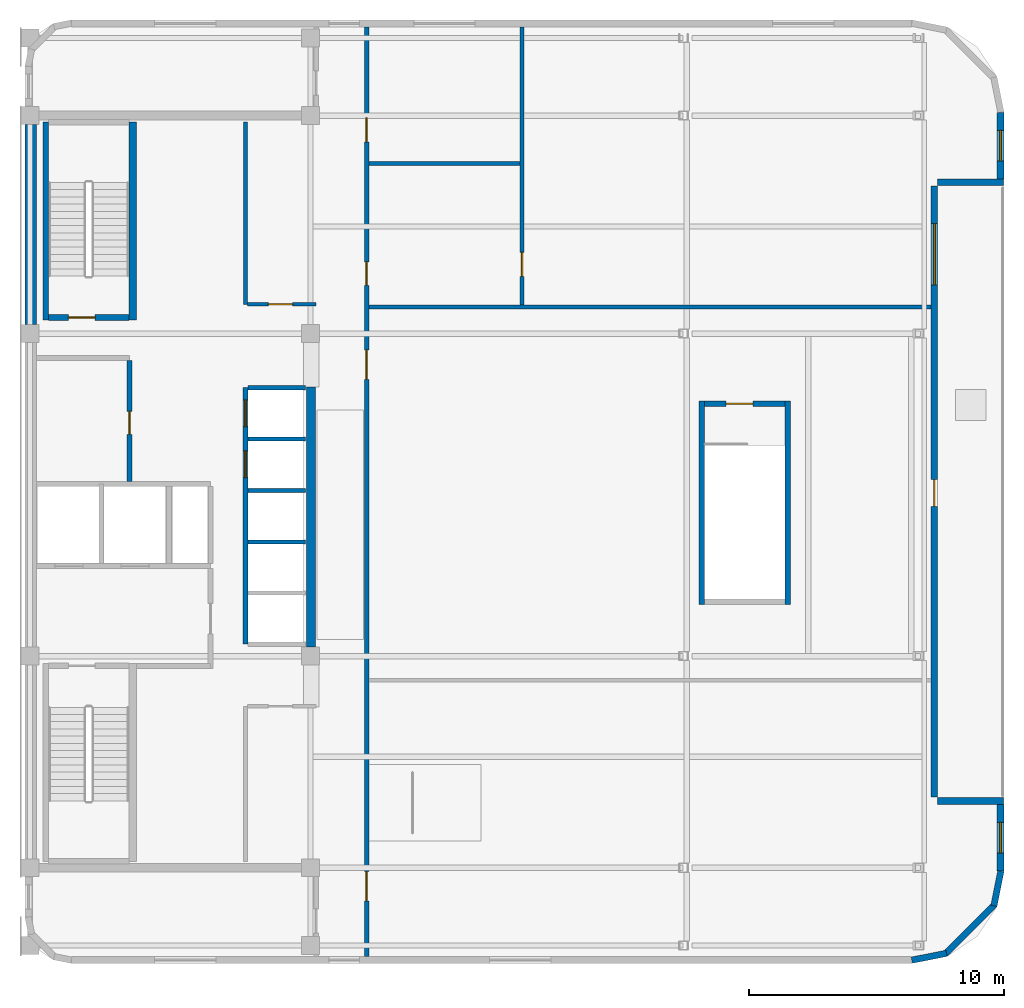
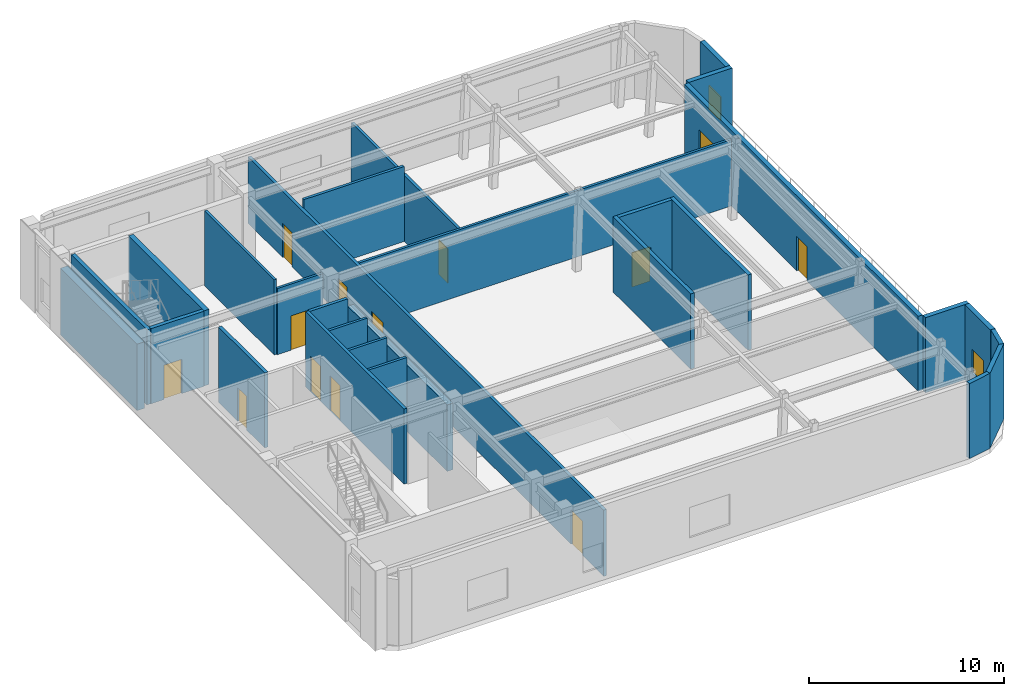
# One storey, part 3 of 6: 28 walls, 12 doors, 3 windows, 15 openings.
"""IFC4 building model written with IfcOpenShell, lengths in metres."""

from ifc_helpers import new_model, si_unit, direction, frame, frame_2d, origin, place, context, subcontext, project, spatial, rectangle, extrude, material, layer, layer_set, type_object, element, fill, save


model = new_model("IFC4")

# Units and contexts
model_context = context("Model", 3, precision=1e-05, world=origin(), true_north=direction((0.0, 1.0)))
body_context = subcontext(model_context, "Body", "Model", "MODEL_VIEW")
ifc_project = project(units=[si_unit("LENGTHUNIT", "METRE"), si_unit("AREAUNIT", "SQUARE_METRE"), si_unit("VOLUMEUNIT", "CUBIC_METRE"), si_unit("PLANEANGLEUNIT", "RADIAN"), si_unit("MASSUNIT", "GRAM", prefix="KILO")], contexts=[model_context])

# Site, building, storey
site_placement = place(None, origin())
site = spatial("IfcSite", under=ifc_project, at=site_placement, CompositionType="ELEMENT")
building_placement = place(site_placement, origin())
building = spatial("IfcBuilding", under=site, at=building_placement, Name="Ochreholt Gables", CompositionType="ELEMENT")
storey_placement = place(building_placement, frame((0.0, 0.0, 282.0)))
storey = spatial("IfcBuildingStorey", under=building, at=storey_placement, Name="L74", CompositionType="ELEMENT", Elevation=282.0)

# Walls
ifc_material_1 = material(Name="Concrete 50 MPa", Category="concrete")
ifc_layer_1 = layer(ifc_material_1, 0.35009765625, Name="Concrete 50 MPa")
ifc_layer_set_1 = layer_set([ifc_layer_1], Name="Concrete 50 MPa")
wall_type_1 = type_object("IfcWallType", Name="WALL-CSW-350", PredefinedType="SHEAR", material=ifc_layer_set_1)
wall_1_placement = place(storey_placement, frame((35.22509765625, 17.89990234375, 0.0), z_axis=(0.0, 0.0, 1.0), x_axis=(0.0, 1.0, 0.0)))
element("IfcWall", 1, at=wall_1_placement, inside=storey, type_object=wall_type_1, Name="L74 Core Central-East Shear Wall", PredefinedType="SHEAR", context=body_context, shape_type="SweptSolid", body=[
    extrude(rectangle(XDim=10.2001953125, YDim=0.35009765625, at=frame_2d((5.10009765625, 0.0))), origin(), (0.0, 0.0, 1.0), 4.160888671875),
])
ifc_layer_2 = layer(ifc_material_1, 0.449951171875, Name="Concrete 50 MPa")
ifc_layer_set_2 = layer_set([ifc_layer_2], Name="Concrete 50 MPa")
wall_type_2 = type_object("IfcWallType", Name="WALL-CSW-EXT", PredefinedType="SHEAR", material=ifc_layer_set_2)
wall_2_placement = place(storey_placement, frame((24.22509765625, 30.550048828125, 0.0), z_axis=(0.0, 0.0, 1.0), x_axis=(0.0, 1.0, 0.0)))
element("IfcWall", 2, at=wall_2_placement, inside=storey, type_object=wall_type_2, Name="L74 Core West Shear Wall WN", PredefinedType="SHEAR", context=body_context, shape_type="SweptSolid", body=[
    extrude(rectangle(XDim=7.849853515625, YDim=0.449951171875, at=frame_2d((3.9248046875, 0.0))), origin(), (0.0, 0.0, 1.0), 4.160888671875),
])

# Wall, opening, window
ifc_material_2 = material(Name="Precast concrete 40 MPa", Category="concrete")
ifc_layer_3 = layer(ifc_material_2, 0.27001953125, Name="Precast concrete 40 MPa")
ifc_layer_set_3 = layer_set([ifc_layer_3], Name="Precast concrete 40 MPa")
wall_type_3 = type_object("IfcWallType", Name="WALL-EXT-270", PredefinedType="SOLIDWALL", material=ifc_layer_set_3)
wall_3_placement = place(storey_placement, frame((62.264892578125, 9.1201171875, 0.0), z_axis=(0.0, 0.0, 1.0), x_axis=(0.0, 1.0, 0.0)))
wall_3 = element("IfcWall", 3, at=wall_3_placement, inside=storey, type_object=wall_type_3, Name="L74 South-East Outer Wall", PredefinedType="SOLIDWALL", context=body_context, shape_type="SweptSolid", body=[
    extrude(rectangle(XDim=2.60986328125, YDim=0.27001953125, at=frame_2d((1.304931640625, 0.0))), origin(), (0.0, 0.0, 1.0), 4.699951171875),
])
opening_1_placement = place(wall_3_placement, frame((0.705078125, 0.0, 0.85009765625)))
opening_1 = element("IfcOpeningElement", 4, at=opening_1_placement, cuts=wall_3, Name="Opening WN-3", PredefinedType="OPENING", context=body_context, shape_type="SweptSolid", body=[
    extrude(rectangle(XDim=1.199951171875, YDim=1.5, at=frame_2d((0.60009765625, 0.75))), frame((0.0, 0.14501953125, 0.0), z_axis=(0.0, -1.0, 0.0), x_axis=(1.0, 0.0, 0.0)), (0.0, 0.0, 1.0), 0.2900390625),
])
ifc_material_3 = material(Name="Triple-Glazed Thermally Broken Aluminium Window", Category="aluminium")
window_type_1 = type_object("IfcWindowType", Name="WIN-RES-1200", PartitioningType="SINGLE_PANEL", PredefinedType="WINDOW", material=ifc_material_3)
window_1_placement = place(opening_1_placement, origin())
window_1 = element("IfcWindow", 5, at=window_1_placement, inside=storey, type_object=window_type_1, Name="L74 Window W-EXT-E1-L74-1", OverallHeight=1.5, OverallWidth=1.199951171875, PartitioningType="SINGLE_PANEL", PredefinedType="WINDOW", context=body_context, shape_type="SweptSolid", body=[
    extrude(rectangle(XDim=1.199951171875, YDim=1.5, at=frame_2d((0.60009765625, 0.75))), frame((0.0, 0.030029296875, 0.0), z_axis=(0.0, -1.0, 0.0), x_axis=(1.0, 0.0, 0.0)), (0.0, 0.0, 1.0), 0.06005859375),
])
fill(opening_1, window_1)

# Wall
wall_4_placement = place(storey_placement, frame((59.800048828125, 11.864990234375, 0.0), z_axis=(0.0, 0.0, 1.0), x_axis=(1.0, 0.0, 0.0)))
element("IfcWall", 6, at=wall_4_placement, inside=storey, type_object=wall_type_3, Name="L74 Observation Terrace South Cheek Wall", PredefinedType="SOLIDWALL", context=body_context, shape_type="SweptSolid", body=[
    extrude(rectangle(XDim=2.579833984375, YDim=0.27001953125, at=frame_2d((1.2900390625, 0.0))), origin(), (0.0, 0.0, 1.0), 4.699951171875),
])

# Wall, openings, door, window
wall_5_placement = place(storey_placement, frame((59.6650390625, 12.02001953125, 0.0), z_axis=(0.0, 0.0, 1.0), x_axis=(0.0, 1.0, 0.0)))
wall_5 = element("IfcWall", 7, at=wall_5_placement, inside=storey, type_object=wall_type_3, Name="L74 Observation Lookout Terrace Wall", PredefinedType="SOLIDWALL", context=body_context, shape_type="SweptSolid", body=[
    extrude(rectangle(XDim=23.9599609375, YDim=0.27001953125, at=frame_2d((11.97998046875, 0.0))), origin(), (0.0, 0.0, 1.0), 4.699951171875),
])
opening_2_placement = place(wall_5_placement, frame((11.39990234375, 0.0, 0.0)))
opening_2 = element("IfcOpeningElement", 8, at=opening_2_placement, cuts=wall_5, Name="Opening D-TR1", PredefinedType="OPENING", context=body_context, shape_type="SweptSolid", body=[
    extrude(rectangle(XDim=1.050048828125, YDim=2.14990234375, at=frame_2d((0.52490234375, 1.074951171875))), frame((0.0, 0.14501953125, 0.0), z_axis=(0.0, -1.0, 0.0), x_axis=(1.0, 0.0, 0.0)), (0.0, 0.0, 1.0), 0.2900390625),
])
opening_3_placement = place(wall_5_placement, frame((20.090087890625, 0.0, 0.85009765625)))
opening_3 = element("IfcOpeningElement", 9, at=opening_3_placement, cuts=wall_5, Name="Opening WN-5", PredefinedType="OPENING", context=body_context, shape_type="SweptSolid", body=[
    extrude(rectangle(XDim=2.39990234375, YDim=1.89990234375, at=frame_2d((1.199951171875, 0.949951171875))), frame((0.0, 0.14501953125, 0.0), z_axis=(0.0, -1.0, 0.0), x_axis=(1.0, 0.0, 0.0)), (0.0, 0.0, 1.0), 0.2900390625),
])
ifc_material_4 = material(Name="Thermally Broken Insulated Steel and Glass Door", Category="steel")
door_type_1 = type_object("IfcDoorType", Name="DR-EXT-TER1050", OperationType="NOTDEFINED", PredefinedType="DOOR", material=ifc_material_4)
door_1_placement = place(opening_2_placement, origin())
door_1 = element("IfcDoor", 10, at=door_1_placement, inside=storey, type_object=door_type_1, Name="L74 Observation Deck Access Door", OperationType="SINGLE_SWING_RIGHT", OverallHeight=2.14990234375, OverallWidth=1.050048828125, PredefinedType="DOOR", context=body_context, shape_type="SweptSolid", body=[
    extrude(rectangle(XDim=1.050048828125, YDim=2.14990234375, at=frame_2d((0.52490234375, 1.074951171875))), frame((0.0, 0.02490234375, 0.0), z_axis=(0.0, -1.0, 0.0), x_axis=(1.0, 0.0, 0.0)), (0.0, 0.0, 1.0), 0.050048828125),
])
fill(opening_2, door_1)
window_type_2 = type_object("IfcWindowType", Name="WIN-COM-2400", PartitioningType="SINGLE_PANEL", PredefinedType="WINDOW", material=ifc_material_3)
window_2_placement = place(opening_3_placement, origin())
window_2 = element("IfcWindow", 11, at=window_2_placement, inside=storey, type_object=window_type_2, Name="L74 Window W-EXT-EOBS-L74-1", OverallHeight=1.89990234375, OverallWidth=2.39990234375, PartitioningType="SINGLE_PANEL", PredefinedType="WINDOW", context=body_context, shape_type="SweptSolid", body=[
    extrude(rectangle(XDim=2.39990234375, YDim=1.89990234375, at=frame_2d((1.199951171875, 0.949951171875))), frame((0.0, 0.030029296875, 0.0), z_axis=(0.0, -1.0, 0.0), x_axis=(1.0, 0.0, 0.0)), (0.0, 0.0, 1.0), 0.06005859375),
])
fill(opening_3, window_2)

# Wall
wall_6_placement = place(storey_placement, frame((59.800048828125, 36.135009765625, 0.0), z_axis=(0.0, 0.0, 1.0), x_axis=(1.0, 0.0, 0.0)))
element("IfcWall", 12, at=wall_6_placement, inside=storey, type_object=wall_type_3, Name="L74 Observation Terrace North Cheek Wall", PredefinedType="SOLIDWALL", context=body_context, shape_type="SweptSolid", body=[
    extrude(rectangle(XDim=2.579833984375, YDim=0.27001953125, at=frame_2d((1.2900390625, 0.0))), origin(), (0.0, 0.0, 1.0), 4.699951171875),
])

# Wall, opening, window
wall_7_placement = place(storey_placement, frame((62.264892578125, 36.27001953125, 0.0), z_axis=(0.0, 0.0, 1.0), x_axis=(0.0, 1.0, 0.0)))
wall_7 = element("IfcWall", 13, at=wall_7_placement, inside=storey, type_object=wall_type_3, Name="L74 North-East Outer Wall", PredefinedType="SOLIDWALL", context=body_context, shape_type="SweptSolid", body=[
    extrude(rectangle(XDim=2.60986328125, YDim=0.27001953125, at=frame_2d((1.304931640625, 0.0))), origin(), (0.0, 0.0, 1.0), 4.699951171875),
])
opening_4_placement = place(wall_7_placement, frame((0.705078125, 0.0, 0.85009765625)))
opening_4 = element("IfcOpeningElement", 14, at=opening_4_placement, cuts=wall_7, Name="Opening WN-3", PredefinedType="OPENING", context=body_context, shape_type="SweptSolid", body=[
    extrude(rectangle(XDim=1.199951171875, YDim=1.5, at=frame_2d((0.60009765625, 0.75))), frame((0.0, 0.14501953125, 0.0), z_axis=(0.0, -1.0, 0.0), x_axis=(1.0, 0.0, 0.0)), (0.0, 0.0, 1.0), 0.2900390625),
])
window_3_placement = place(opening_4_placement, origin())
window_3 = element("IfcWindow", 15, at=window_3_placement, inside=storey, type_object=window_type_1, Name="L74 Window W-EXT-E2-L74-1", OverallHeight=1.5, OverallWidth=1.199951171875, PartitioningType="SINGLE_PANEL", PredefinedType="WINDOW", context=body_context, shape_type="SweptSolid", body=[
    extrude(rectangle(XDim=1.199951171875, YDim=1.5, at=frame_2d((0.60009765625, 0.75))), frame((0.0, 0.030029296875, 0.0), z_axis=(0.0, -1.0, 0.0), x_axis=(1.0, 0.0, 0.0)), (0.0, 0.0, 1.0), 0.06005859375),
])
fill(opening_4, window_3)

# Walls
ifc_layer_4 = layer(ifc_material_2, 0.25, Name="Precast concrete 40 MPa")
ifc_layer_set_4 = layer_set([ifc_layer_4], Name="Precast concrete 40 MPa")
wall_type_4 = type_object("IfcWallType", Name="WALL-EXT-CNR", PredefinedType="SOLIDWALL", material=ifc_layer_set_4)
wall_8_placement = place(storey_placement, frame((58.783447265625, 5.624267578125, 0.0), z_axis=(0.0, 0.0, 1.0), x_axis=(0.980809899341, 0.19496651342, 0.0)))
element("IfcWall", 16, at=wall_8_placement, inside=storey, type_object=wall_type_4, Name="L74 Rounded Corner Wall SE-1", PredefinedType="SOLIDWALL", context=body_context, shape_type="SweptSolid", body=[
    extrude(rectangle(XDim=1.388671875, YDim=0.25, at=frame_2d((0.6943359375, 0.0))), origin(), (0.0, 0.0, 1.0), 4.699951171875),
])
wall_9_placement = place(storey_placement, frame((60.094970703125, 5.867919921875, 0.0), z_axis=(0.0, 0.0, 1.0), x_axis=(0.707106781187, 0.707106781187, 0.0)))
element("IfcWall", 17, at=wall_9_placement, inside=storey, type_object=wall_type_4, Name="L74 Rounded Corner Wall SE-2", PredefinedType="SOLIDWALL", context=body_context, shape_type="SweptSolid", body=[
    extrude(rectangle(XDim=2.7392578125, YDim=0.25, at=frame_2d((1.36962890625, 0.0))), origin(), (0.0, 0.0, 1.0), 4.699951171875),
])
wall_10_placement = place(storey_placement, frame((62.0048828125, 7.75439453125, 0.0), z_axis=(0.0, 0.0, 1.0), x_axis=(0.195135625965, 0.9807762678, 0.0)))
element("IfcWall", 18, at=wall_10_placement, inside=storey, type_object=wall_type_4, Name="L74 Rounded Corner Wall SE-3", PredefinedType="SOLIDWALL", context=body_context, shape_type="SweptSolid", body=[
    extrude(rectangle(XDim=1.388671875, YDim=0.25, at=frame_2d((0.6943359375, 0.0))), origin(), (0.0, 0.0, 1.0), 4.699951171875),
])

# Wall, opening, door
ifc_material_5 = material(Name="Concrete 40 MPa", Category="concrete")
ifc_layer_5 = layer(ifc_material_5, 0.199951171875, Name="Concrete 40 MPa")
ifc_layer_set_5 = layer_set([ifc_layer_5], Name="Concrete 40 MPa")
wall_type_5 = type_object("IfcWallType", Name="WALL-INT-CF200", PredefinedType="STANDARD", material=ifc_layer_set_5)
wall_11_placement = place(storey_placement, frame((28.10009765625, 24.389892578125, 0.0), z_axis=(0.0, 0.0, 1.0), x_axis=(0.0, 1.0, 0.0)))
wall_11 = element("IfcWall", 19, at=wall_11_placement, inside=storey, type_object=wall_type_5, Name="L74 Interior Wall WI-SRVE-L74", PredefinedType="STANDARD", context=body_context, shape_type="SweptSolid", body=[
    extrude(rectangle(XDim=4.75, YDim=0.199951171875, at=frame_2d((2.375, 0.0))), origin(), (0.0, 0.0, 1.0), 4.699951171875),
])
opening_5_placement = place(wall_11_placement, frame((1.860107421875, 0.0, 0.0)))
opening_5 = element("IfcOpeningElement", 20, at=opening_5_placement, cuts=wall_11, Name="Opening D-SV1", PredefinedType="OPENING", context=body_context, shape_type="SweptSolid", body=[
    extrude(rectangle(XDim=0.89990234375, YDim=2.10009765625, at=frame_2d((0.449951171875, 1.050048828125))), frame((0.0, 0.10986328125, 0.0), z_axis=(0.0, -1.0, 0.0), x_axis=(1.0, 0.0, 0.0)), (0.0, 0.0, 1.0), 0.219970703125),
])
ifc_material_6 = material(Name="Hollow Metal Steel", Category="steel")
door_type_2 = type_object("IfcDoorType", Name="DR-INT-SRV900", OperationType="NOTDEFINED", PredefinedType="DOOR", material=ifc_material_6)
door_2_placement = place(opening_5_placement, origin())
door_2 = element("IfcDoor", 21, at=door_2_placement, inside=storey, type_object=door_type_2, Name="L74 Door D-SRV1-L74", OperationType="SINGLE_SWING_LEFT", OverallHeight=2.10009765625, OverallWidth=0.89990234375, PredefinedType="DOOR", context=body_context, shape_type="SweptSolid", body=[
    extrude(rectangle(XDim=0.89990234375, YDim=2.10009765625, at=frame_2d((0.449951171875, 1.050048828125))), frame((0.0, 0.02490234375, 0.0), z_axis=(0.0, -1.0, 0.0), x_axis=(1.0, 0.0, 0.0)), (0.0, 0.0, 1.0), 0.050048828125),
])
fill(opening_5, door_2)

# Wall, openings, doors
ifc_material_7 = material(Name="Fire-Rated Gypsum Acoustic Partition", Category="gypsum")
ifc_layer_6 = layer(ifc_material_7, 0.179931640625, Name="Fire-Rated Gypsum Acoustic Partition")
ifc_layer_set_6 = layer_set([ifc_layer_6], Name="Fire-Rated Gypsum Acoustic Partition")
wall_type_6 = type_object("IfcWallType", Name="WALL-INT-CR180", PredefinedType="STANDARD", material=ifc_layer_set_6)
wall_12_placement = place(storey_placement, frame((37.39990234375, 5.77001953125, 0.0), z_axis=(0.0, 0.0, 1.0), x_axis=(0.0, 1.0, 0.0)))
wall_12 = element("IfcWall", 22, at=wall_12_placement, inside=storey, type_object=wall_type_6, Name="L74 Interior Wall WI-CMCE-L74", PredefinedType="STANDARD", context=body_context, shape_type="SweptSolid", body=[
    extrude(rectangle(XDim=36.4599609375, YDim=0.179931640625, at=frame_2d((18.22998046875, 0.0))), origin(), (0.0, 0.0, 1.0), 4.14306640625),
])
opening_6_placement = place(wall_12_placement, frame((26.320068359375, 0.0, 0.0)))
opening_6 = element("IfcOpeningElement", 23, at=opening_6_placement, cuts=wall_12, Name="Opening D-WC1", PredefinedType="OPENING", context=body_context, shape_type="SweptSolid", body=[
    extrude(rectangle(XDim=0.919921875, YDim=2.139892578125, at=frame_2d((0.4599609375, 1.06982421875))), frame((0.0, 0.099853515625, 0.0), z_axis=(0.0, -1.0, 0.0), x_axis=(1.0, 0.0, 0.0)), (0.0, 0.0, 1.0), 0.199951171875),
])
opening_7_placement = place(wall_12_placement, frame((31.949951171875, 0.0, 0.0)))
opening_7 = element("IfcOpeningElement", 24, at=opening_7_placement, cuts=wall_12, Name="Opening D-WC2", PredefinedType="OPENING", context=body_context, shape_type="SweptSolid", body=[
    extrude(rectangle(XDim=0.949951171875, YDim=2.139892578125, at=frame_2d((0.47509765625, 1.06982421875))), frame((0.0, 0.099853515625, 0.0), z_axis=(0.0, -1.0, 0.0), x_axis=(1.0, 0.0, 0.0)), (0.0, 0.0, 1.0), 0.199951171875),
])
opening_8_placement = place(wall_12_placement, frame((2.179931640625, 0.0, 0.0)))
opening_8 = element("IfcOpeningElement", 25, at=opening_8_placement, cuts=wall_12, Name="Opening D-CM1", PredefinedType="OPENING", context=body_context, shape_type="SweptSolid", body=[
    extrude(rectangle(XDim=1.14990234375, YDim=2.14990234375, at=frame_2d((0.574951171875, 1.074951171875))), frame((0.0, 0.099853515625, 0.0), z_axis=(0.0, -1.0, 0.0), x_axis=(1.0, 0.0, 0.0)), (0.0, 0.0, 1.0), 0.199951171875),
])
opening_9_placement = place(wall_12_placement, frame((22.6298828125, 0.0, 0.0)))
opening_9 = element("IfcOpeningElement", 26, at=opening_9_placement, cuts=wall_12, Name="Opening D-CM1", PredefinedType="OPENING", context=body_context, shape_type="SweptSolid", body=[
    extrude(rectangle(XDim=1.14990234375, YDim=2.14990234375, at=frame_2d((0.574951171875, 1.074951171875))), frame((0.0, 0.099853515625, 0.0), z_axis=(0.0, -1.0, 0.0), x_axis=(1.0, 0.0, 0.0)), (0.0, 0.0, 1.0), 0.199951171875),
])
ifc_material_8 = material(Name="Engineered Oak Timber", Category="wood")
door_type_3 = type_object("IfcDoorType", Name="DR-INT-COM1150", OperationType="NOTDEFINED", PredefinedType="DOOR", material=ifc_material_8)
door_3_placement = place(opening_8_placement, origin())
door_3 = element("IfcDoor", 27, at=door_3_placement, inside=storey, type_object=door_type_3, Name="L74 Door D-CMS-L74", OperationType="SINGLE_SWING_LEFT", OverallHeight=2.14990234375, OverallWidth=1.14990234375, PredefinedType="DOOR", context=body_context, shape_type="SweptSolid", body=[
    extrude(rectangle(XDim=1.14990234375, YDim=2.14990234375, at=frame_2d((0.574951171875, 1.074951171875))), frame((0.0, 0.02490234375, 0.0), z_axis=(0.0, -1.0, 0.0), x_axis=(1.0, 0.0, 0.0)), (0.0, 0.0, 1.0), 0.050048828125),
])
fill(opening_8, door_3)
door_4_placement = place(opening_9_placement, origin())
door_4 = element("IfcDoor", 28, at=door_4_placement, inside=storey, type_object=door_type_3, Name="L74 Door D-CMM-L74", OperationType="SINGLE_SWING_RIGHT", OverallHeight=2.14990234375, OverallWidth=1.14990234375, PredefinedType="DOOR", context=body_context, shape_type="SweptSolid", body=[
    extrude(rectangle(XDim=1.14990234375, YDim=2.14990234375, at=frame_2d((0.574951171875, 1.074951171875))), frame((0.0, 0.02490234375, 0.0), z_axis=(0.0, -1.0, 0.0), x_axis=(1.0, 0.0, 0.0)), (0.0, 0.0, 1.0), 0.050048828125),
])
fill(opening_9, door_4)
door_type_4 = type_object("IfcDoorType", Name="DR-INT-WC920", OperationType="NOTDEFINED", PredefinedType="DOOR", material=ifc_material_8)
door_5_placement = place(opening_6_placement, origin())
door_5 = element("IfcDoor", 29, at=door_5_placement, inside=storey, type_object=door_type_4, Name="L74 Door D-CMWC1-L74", OperationType="SINGLE_SWING_LEFT", OverallHeight=2.139892578125, OverallWidth=0.919921875, PredefinedType="DOOR", context=body_context, shape_type="SweptSolid", body=[
    extrude(rectangle(XDim=0.919921875, YDim=2.139892578125, at=frame_2d((0.4599609375, 1.06982421875))), frame((0.0, 0.02490234375, 0.0), z_axis=(0.0, -1.0, 0.0), x_axis=(1.0, 0.0, 0.0)), (0.0, 0.0, 1.0), 0.050048828125),
])
fill(opening_6, door_5)
door_type_5 = type_object("IfcDoorType", Name="DR-INT-WC950", OperationType="NOTDEFINED", PredefinedType="DOOR", material=ifc_material_8)
door_6_placement = place(opening_7_placement, origin())
door_6 = element("IfcDoor", 30, at=door_6_placement, inside=storey, type_object=door_type_5, Name="L74 Door D-CMWC2-L74", OperationType="SINGLE_SWING_RIGHT", OverallHeight=2.139892578125, OverallWidth=0.949951171875, PredefinedType="DOOR", context=body_context, shape_type="SweptSolid", body=[
    extrude(rectangle(XDim=0.949951171875, YDim=2.139892578125, at=frame_2d((0.47509765625, 1.06982421875))), frame((0.0, 0.02490234375, 0.0), z_axis=(0.0, -1.0, 0.0), x_axis=(1.0, 0.0, 0.0)), (0.0, 0.0, 1.0), 0.050048828125),
])
fill(opening_7, door_6)

# Wall, opening, door
ifc_material_9 = material(Name="Moisture-Resistant Plumbing Chase Wall", Category="gypsum")
ifc_layer_7 = layer(ifc_material_9, 0.159912109375, Name="Moisture-Resistant Plumbing Chase Wall")
ifc_layer_set_7 = layer_set([ifc_layer_7], Name="Moisture-Resistant Plumbing Chase Wall")
wall_type_7 = type_object("IfcWallType", Name="WALL-INT-PL160", PredefinedType="PLUMBINGWALL", material=ifc_layer_set_7)
wall_13_placement = place(storey_placement, frame((43.5, 31.3125, 0.0), z_axis=(0.0, 0.0, 1.0), x_axis=(0.0, 1.0, 0.0)))
wall_13 = element("IfcWall", 31, at=wall_13_placement, inside=storey, type_object=wall_type_7, Name="L74 Interior Wall WI-CMWC-L74", PredefinedType="PLUMBINGWALL", context=body_context, shape_type="SweptSolid", body=[
    extrude(rectangle(XDim=10.91748046875, YDim=0.159912109375, at=frame_2d((5.458740234375, 0.0))), origin(), (0.0, 0.0, 1.0), 4.14306640625),
])
opening_10_placement = place(wall_13_placement, frame((1.12744140625, 0.0, 0.0)))
opening_10 = element("IfcOpeningElement", 32, at=opening_10_placement, cuts=wall_13, Name="Opening D-GN1", PredefinedType="OPENING", context=body_context, shape_type="SweptSolid", body=[
    extrude(rectangle(XDim=0.949951171875, YDim=2.14990234375, at=frame_2d((0.47509765625, 1.074951171875))), frame((0.0, 0.08984375, 0.0), z_axis=(0.0, -1.0, 0.0), x_axis=(1.0, 0.0, 0.0)), (0.0, 0.0, 1.0), 0.179931640625),
])
door_type_6 = type_object("IfcDoorType", Name="DR-INT-GEN950", OperationType="NOTDEFINED", PredefinedType="DOOR", material=ifc_material_8)
door_7_placement = place(opening_10_placement, origin())
door_7 = element("IfcDoor", 33, at=door_7_placement, inside=storey, type_object=door_type_6, Name="L74 Door D-CMNE-L74", OperationType="SINGLE_SWING_LEFT", OverallHeight=2.14990234375, OverallWidth=0.949951171875, PredefinedType="DOOR", context=body_context, shape_type="SweptSolid", body=[
    extrude(rectangle(XDim=0.949951171875, YDim=2.14990234375, at=frame_2d((0.47509765625, 1.074951171875))), frame((0.0, 0.02490234375, 0.0), z_axis=(0.0, -1.0, 0.0), x_axis=(1.0, 0.0, 0.0)), (0.0, 0.0, 1.0), 0.050048828125),
])
fill(opening_10, door_7)

# Walls
wall_14_placement = place(storey_placement, frame((37.489990234375, 36.8701171875, 0.0), z_axis=(0.0, 0.0, 1.0), x_axis=(1.0, 0.0, 0.0)))
element("IfcWall", 34, at=wall_14_placement, inside=storey, type_object=wall_type_7, Name="L74 Interior Wall WI-CMWCD-L74", PredefinedType="PLUMBINGWALL", context=body_context, shape_type="SweptSolid", body=[
    extrude(rectangle(XDim=5.929931640625, YDim=0.159912109375, at=frame_2d((2.96484375, 0.0))), origin(), (0.0, 0.0, 1.0), 4.699951171875),
])
ifc_material_10 = material(Name="Lightweight Stud Partition", Category="gypsum")
ifc_layer_8 = layer(ifc_material_10, 0.14501953125, Name="Lightweight Stud Partition")
ifc_layer_set_8 = layer_set([ifc_layer_8], Name="Lightweight Stud Partition")
wall_type_8 = type_object("IfcWallType", Name="WALL-INT-PT145", PredefinedType="PARTITIONING", material=ifc_layer_set_8)
wall_15_placement = place(storey_placement, frame((37.489990234375, 31.239990234375, 0.0), z_axis=(0.0, 0.0, 1.0), x_axis=(1.0, 0.0, 0.0)))
element("IfcWall", 35, at=wall_15_placement, inside=storey, type_object=wall_type_8, Name="L74 Interior Wall WI-CME2-L74", PredefinedType="PARTITIONING", context=body_context, shape_type="SweptSolid", body=[
    extrude(rectangle(XDim=22.0400390625, YDim=0.14501953125, at=frame_2d((11.02001953125, 0.0))), origin(), (0.0, 0.0, 1.0), 4.14306640625),
])
wall_16_placement = place(storey_placement, frame((32.64990234375, 31.35009765625, 0.0), z_axis=(0.0, 0.0, 1.0), x_axis=(0.0, 1.0, 0.0)))
element("IfcWall", 36, at=wall_16_placement, inside=storey, type_object=wall_type_8, Name="L74 Interior Wall WI-CMRCMW-L74", PredefinedType="PARTITIONING", context=body_context, shape_type="SweptSolid", body=[
    extrude(rectangle(XDim=7.14990234375, YDim=0.14501953125, at=frame_2d((3.574951171875, 0.0))), origin(), (0.0, 0.0, 1.0), 4.699951171875),
])

# Wall, opening, door
wall_17_placement = place(storey_placement, frame((32.722412109375, 31.35009765625, 0.0), z_axis=(0.0, 0.0, 1.0), x_axis=(1.0, 0.0, 0.0)))
wall_17 = element("IfcWall", 37, at=wall_17_placement, inside=storey, type_object=wall_type_8, Name="L74 Interior Wall WI-CMMRS-L74", PredefinedType="PARTITIONING", context=body_context, shape_type="SweptSolid", body=[
    extrude(rectangle(XDim=2.697509765625, YDim=0.14501953125, at=frame_2d((1.3486328125, 0.0))), origin(), (0.0, 0.0, 1.0), 4.14306640625),
])
opening_11_placement = place(wall_17_placement, frame((0.827392578125, 0.0, 0.0)))
opening_11 = element("IfcOpeningElement", 38, at=opening_11_placement, cuts=wall_17, Name="Opening D-GN1", PredefinedType="OPENING", context=body_context, shape_type="SweptSolid", body=[
    extrude(rectangle(XDim=0.949951171875, YDim=2.14990234375, at=frame_2d((0.47509765625, 1.074951171875))), frame((0.0, 0.08251953125, 0.0), z_axis=(0.0, -1.0, 0.0), x_axis=(1.0, 0.0, 0.0)), (0.0, 0.0, 1.0), 0.1650390625),
])
door_8_placement = place(opening_11_placement, origin())
door_8 = element("IfcDoor", 39, at=door_8_placement, inside=storey, type_object=door_type_6, Name="L74 Door D-CMMRS-L74", OperationType="SINGLE_SWING_LEFT", OverallHeight=2.14990234375, OverallWidth=0.949951171875, PredefinedType="DOOR", context=body_context, shape_type="SweptSolid", body=[
    extrude(rectangle(XDim=0.949951171875, YDim=2.14990234375, at=frame_2d((0.47509765625, 1.074951171875))), frame((0.0, 0.02490234375, 0.0), z_axis=(0.0, -1.0, 0.0), x_axis=(1.0, 0.0, 0.0)), (0.0, 0.0, 1.0), 0.050048828125),
])
fill(opening_11, door_8)

# Walls
ifc_material_11 = material(Name="Gypsum Shaftliner and Steel Stud", Category="steel")
ifc_layer_9 = layer(ifc_material_11, 0.14990234375, Name="Gypsum Shaftliner and Steel Stud")
ifc_layer_set_9 = layer_set([ifc_layer_9], Name="Gypsum Shaftliner and Steel Stud")
wall_type_9 = type_object("IfcWallType", Name="WALL-INT-SH150", PredefinedType="STANDARD", material=ifc_layer_set_9)
for number, where, z_axis, x_axis, name in (
    (40, (32.739990234375, 22.02001953125, 0.0), (0.0, 0.0, 1.0), (1.0, 0.0, 0.0), "L74 Interior Wall WI-LFHE-DH2-L74"),
    (41, (32.739990234375, 24.050048828125, 0.0), (0.0, 0.0, 1.0), (1.0, 0.0, 0.0), "L74 Interior Wall WI-LFHE-DHE-L74"),
    (42, (32.739990234375, 26.070068359375, 0.0), (0.0, 0.0, 1.0), (1.0, 0.0, 0.0), "L74 Interior Wall WI-LFHE-DEX1-L74"),
):
    element("IfcWall", number, at=place(storey_placement, frame(where, z_axis=z_axis, x_axis=x_axis)), inside=storey, type_object=wall_type_9, Name=name, PredefinedType="STANDARD", context=body_context, shape_type="SweptSolid", body=[
        extrude(rectangle(XDim=2.260009765625, YDim=0.14990234375, at=frame_2d((1.1298828125, 0.0))), origin(), (0.0, 0.0, 1.0), 4.699951171875),
    ])

# Wall, openings, doors
ifc_layer_10 = layer(ifc_material_11, 0.179931640625, Name="Gypsum Shaftliner and Steel Stud")
ifc_layer_set_10 = layer_set([ifc_layer_10], Name="Gypsum Shaftliner and Steel Stud")
wall_type_10 = type_object("IfcWallType", Name="WALL-INT-SH180", PredefinedType="STANDARD", material=ifc_layer_set_10)
wall_18_placement = place(storey_placement, frame((32.64990234375, 18.02001953125, 0.0), z_axis=(0.0, 0.0, 1.0), x_axis=(0.0, 1.0, 0.0)))
wall_18 = element("IfcWall", 43, at=wall_18_placement, inside=storey, type_object=wall_type_10, Name="L74 Interior Wall WI-LFHE-FR-L74", PredefinedType="STANDARD", context=body_context, shape_type="SweptSolid", body=[
    extrude(rectangle(XDim=10.06005859375, YDim=0.179931640625, at=frame_2d((5.030029296875, 0.0))), origin(), (0.0, 0.0, 1.0), 4.699951171875),
])
opening_12_placement = place(wall_18_placement, frame((6.530029296875, 0.0, 0.0)))
opening_12 = element("IfcOpeningElement", 44, at=opening_12_placement, cuts=wall_18, Name="Opening LD-PX", PredefinedType="OPENING", context=body_context, shape_type="SweptSolid", body=[
    extrude(rectangle(XDim=1.050048828125, YDim=2.199951171875, at=frame_2d((0.52490234375, 1.10009765625))), frame((0.0, 0.099853515625, 0.0), z_axis=(0.0, -1.0, 0.0), x_axis=(1.0, 0.0, 0.0)), (0.0, 0.0, 1.0), 0.199951171875),
])
opening_13_placement = place(wall_18_placement, frame((8.530029296875, 0.0, 0.0)))
opening_13 = element("IfcOpeningElement", 45, at=opening_13_placement, cuts=wall_18, Name="Opening LD-PX", PredefinedType="OPENING", context=body_context, shape_type="SweptSolid", body=[
    extrude(rectangle(XDim=1.050048828125, YDim=2.199951171875, at=frame_2d((0.52490234375, 1.10009765625))), frame((0.0, 0.099853515625, 0.0), z_axis=(0.0, -1.0, 0.0), x_axis=(1.0, 0.0, 0.0)), (0.0, 0.0, 1.0), 0.199951171875),
])
ifc_material_12 = material(Name="Stainless Steel", Category="steel")
door_type_7 = type_object("IfcDoorType", Name="DR-LFT-PX1050", OperationType="NOTDEFINED", PredefinedType="DOOR", material=ifc_material_12)
door_9_placement = place(opening_12_placement, origin())
door_9 = element("IfcDoor", 46, at=door_9_placement, inside=storey, type_object=door_type_7, Name="L74 Door LD-LF-EX1-L74", OperationType="SLIDING_TO_LEFT", OverallHeight=2.199951171875, OverallWidth=1.050048828125, PredefinedType="DOOR", context=body_context, shape_type="SweptSolid", body=[
    extrude(rectangle(XDim=1.050048828125, YDim=2.199951171875, at=frame_2d((0.52490234375, 1.10009765625))), frame((0.0, 0.02490234375, 0.0), z_axis=(0.0, -1.0, 0.0), x_axis=(1.0, 0.0, 0.0)), (0.0, 0.0, 1.0), 0.050048828125),
])
fill(opening_12, door_9)
door_10_placement = place(opening_13_placement, origin())
door_10 = element("IfcDoor", 47, at=door_10_placement, inside=storey, type_object=door_type_7, Name="L74 Door LD-LF-EX2-L74", OperationType="SLIDING_TO_LEFT", OverallHeight=2.199951171875, OverallWidth=1.050048828125, PredefinedType="DOOR", context=body_context, shape_type="SweptSolid", body=[
    extrude(rectangle(XDim=1.050048828125, YDim=2.199951171875, at=frame_2d((0.52490234375, 1.10009765625))), frame((0.0, 0.02490234375, 0.0), z_axis=(0.0, -1.0, 0.0), x_axis=(1.0, 0.0, 0.0)), (0.0, 0.0, 1.0), 0.050048828125),
])
fill(opening_13, door_10)

# Walls
wall_19_placement = place(storey_placement, frame((32.739990234375, 28.080078125, 0.0), z_axis=(0.0, 0.0, 1.0), x_axis=(1.0, 0.0, 0.0)))
element("IfcWall", 48, at=wall_19_placement, inside=storey, type_object=wall_type_10, Name="L74 Interior Wall WI-LFHE-N-L74", PredefinedType="STANDARD", context=body_context, shape_type="SweptSolid", body=[
    extrude(rectangle(XDim=2.260009765625, YDim=0.179931640625, at=frame_2d((1.1298828125, 0.0))), origin(), (0.0, 0.0, 1.0), 4.699951171875),
])
ifc_material_13 = material(Name="Concrete 60 MPa", Category="concrete")
ifc_layer_11 = layer(ifc_material_13, 0.300048828125, Name="Concrete 60 MPa")
ifc_layer_set_11 = layer_set([ifc_layer_11], Name="Concrete 60 MPa")
wall_type_11 = type_object("IfcWallType", Name="WALL-SPN-300", PredefinedType="SHEAR", material=ifc_layer_set_11)
wall_20_placement = place(storey_placement, frame((28.22998046875, 30.739990234375, 0.0), z_axis=(0.0, 0.0, 1.0), x_axis=(0.0, 1.0, 0.0)))
element("IfcWall", 49, at=wall_20_placement, inside=storey, type_object=wall_type_11, Name="L74 Core North Spine Shear Wall", PredefinedType="SHEAR", context=body_context, shape_type="SweptSolid", body=[
    extrude(rectangle(XDim=7.760009765625, YDim=0.300048828125, at=frame_2d((3.8798828125, 0.0))), origin(), (0.0, 0.0, 1.0), 4.699951171875),
])
ifc_layer_12 = layer(ifc_material_1, 0.219970703125, Name="Concrete 50 MPa")
ifc_layer_set_12 = layer_set([ifc_layer_12], Name="Concrete 50 MPa")
wall_type_12 = type_object("IfcWallType", Name="WALL-STW-220", PredefinedType="SHEAR", material=ifc_layer_set_12)
wall_21_placement = place(storey_placement, frame((24.81005859375, 30.739990234375, 0.0), z_axis=(0.0, 0.0, 1.0), x_axis=(0.0, 1.0, 0.0)))
element("IfcWall", 50, at=wall_21_placement, inside=storey, type_object=wall_type_12, Name="L74 Exit Stair 2 West Wall", PredefinedType="SHEAR", context=body_context, shape_type="SweptSolid", body=[
    extrude(rectangle(XDim=7.760009765625, YDim=0.219970703125, at=frame_2d((3.8798828125, 0.0))), origin(), (0.0, 0.0, 1.0), 4.699951171875),
])

# Wall, opening, door
wall_22_placement = place(storey_placement, frame((24.919921875, 30.830078125, 0.0), z_axis=(0.0, 0.0, 1.0), x_axis=(1.0, 0.0, 0.0)))
wall_22 = element("IfcWall", 51, at=wall_22_placement, inside=storey, type_object=wall_type_12, Name="L74 Exit Stair 2 South Wall", PredefinedType="SHEAR", context=body_context, shape_type="SweptSolid", body=[
    extrude(rectangle(XDim=3.16015625, YDim=0.219970703125, at=frame_2d((1.580078125, 0.0))), origin(), (0.0, 0.0, 1.0), 4.699951171875),
])
opening_14_placement = place(wall_22_placement, frame((0.780029296875, 0.0, 0.0)))
opening_14 = element("IfcOpeningElement", 52, at=opening_14_placement, cuts=wall_22, Name="Opening D-STC", PredefinedType="OPENING", context=body_context, shape_type="SweptSolid", body=[
    extrude(rectangle(XDim=1.050048828125, YDim=2.14990234375, at=frame_2d((0.52490234375, 1.074951171875))), frame((0.0, 0.119873046875, 0.0), z_axis=(0.0, -1.0, 0.0), x_axis=(1.0, 0.0, 0.0)), (0.0, 0.0, 1.0), 0.239990234375),
])
door_type_8 = type_object("IfcDoorType", Name="DR-INT-ST1050", OperationType="NOTDEFINED", PredefinedType="DOOR", material=ifc_material_6)
door_11_placement = place(opening_14_placement, origin())
door_11 = element("IfcDoor", 53, at=door_11_placement, inside=storey, type_object=door_type_8, Name="L74 Door D-ST2-L74", OperationType="SINGLE_SWING_RIGHT", OverallHeight=2.14990234375, OverallWidth=1.050048828125, PredefinedType="DOOR", context=body_context, shape_type="SweptSolid", body=[
    extrude(rectangle(XDim=1.050048828125, YDim=2.14990234375, at=frame_2d((0.52490234375, 1.074951171875))), frame((0.0, 0.02490234375, 0.0), z_axis=(0.0, -1.0, 0.0), x_axis=(1.0, 0.0, 0.0)), (0.0, 0.0, 1.0), 0.050048828125),
])
fill(opening_14, door_11)

# Walls
for number, where, z_axis, x_axis, name in (
    (54, (50.5400390625, 19.580078125, 0.0), (0.0, 0.0, 1.0), (0.0, 1.0, 0.0), "L74 Feature Stair ST-C7 West Wall"),
    (55, (53.919921875, 19.580078125, 0.0), (0.0, 0.0, 1.0), (0.0, 1.0, 0.0), "L74 Feature Stair ST-C7 East Wall"),
):
    element("IfcWall", number, at=place(storey_placement, frame(where, z_axis=z_axis, x_axis=x_axis)), inside=storey, type_object=wall_type_12, Name=name, PredefinedType="SHEAR", context=body_context, shape_type="SweptSolid", body=[
        extrude(rectangle(XDim=7.97998046875, YDim=0.219970703125, at=frame_2d((3.989990234375, 0.0))), origin(), (0.0, 0.0, 1.0), 4.699951171875),
    ])

# Wall, opening, door
wall_23_placement = place(storey_placement, frame((50.64990234375, 27.449951171875, 0.0), z_axis=(0.0, 0.0, 1.0), x_axis=(1.0, 0.0, 0.0)))
wall_23 = element("IfcWall", 56, at=wall_23_placement, inside=storey, type_object=wall_type_12, Name="L74 Feature Stair ST-C7 North Wall", PredefinedType="SHEAR", context=body_context, shape_type="SweptSolid", body=[
    extrude(rectangle(XDim=3.16015625, YDim=0.219970703125, at=frame_2d((1.580078125, 0.0))), origin(), (0.0, 0.0, 1.0), 4.699951171875),
])
opening_15_placement = place(wall_23_placement, frame((0.85009765625, 0.0, 0.0)))
opening_15 = element("IfcOpeningElement", 57, at=opening_15_placement, cuts=wall_23, Name="Opening D-STC", PredefinedType="OPENING", context=body_context, shape_type="SweptSolid", body=[
    extrude(rectangle(XDim=1.050048828125, YDim=2.14990234375, at=frame_2d((0.52490234375, 1.074951171875))), frame((0.0, 0.119873046875, 0.0), z_axis=(0.0, -1.0, 0.0), x_axis=(1.0, 0.0, 0.0)), (0.0, 0.0, 1.0), 0.239990234375),
])
door_12_placement = place(opening_15_placement, frame((1.050048828125, 0.0, 0.0), z_axis=(0.0, 0.0, 1.0), x_axis=(-1.0, 0.0, 0.0)))
door_12 = element("IfcDoor", 58, at=door_12_placement, inside=storey, type_object=door_type_8, Name="L74 Door D-FST-L74", OperationType="SINGLE_SWING_LEFT", OverallHeight=2.14990234375, OverallWidth=1.050048828125, PredefinedType="DOOR", context=body_context, shape_type="SweptSolid", body=[
    extrude(rectangle(XDim=1.050048828125, YDim=2.14990234375, at=frame_2d((0.52490234375, 1.074951171875))), frame((0.0, 0.02490234375, 0.0), z_axis=(0.0, -1.0, 0.0), x_axis=(1.0, 0.0, 0.0)), (0.0, 0.0, 1.0), 0.050048828125),
])
fill(opening_15, door_12)

save(model, "model.ifc")
